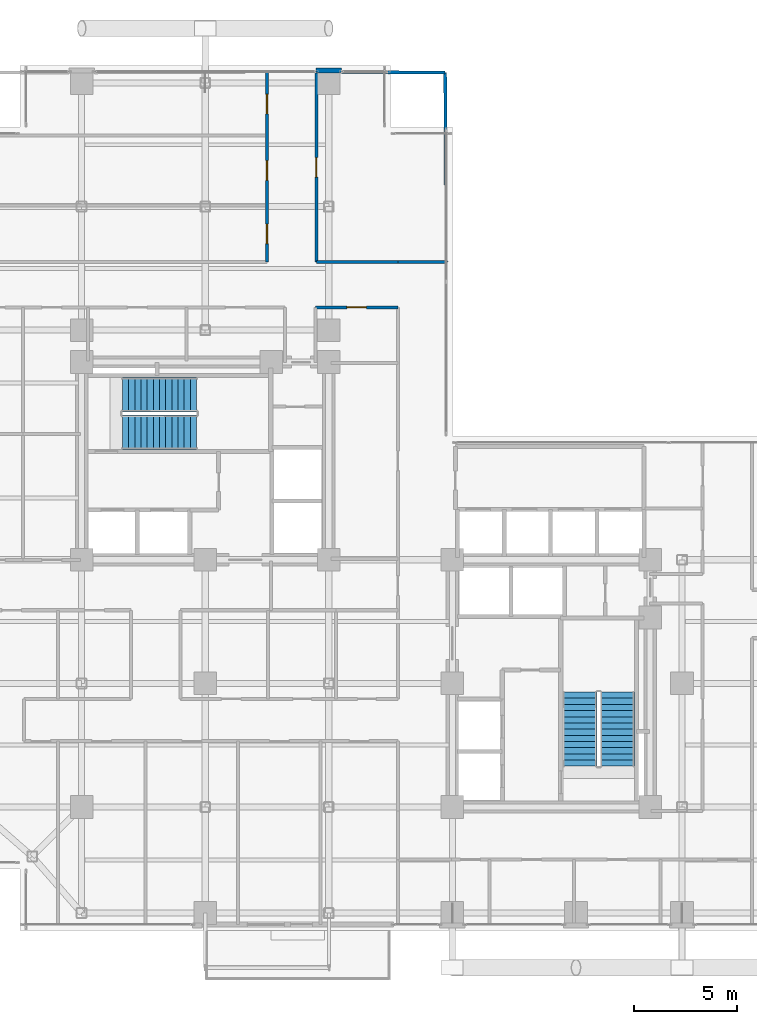
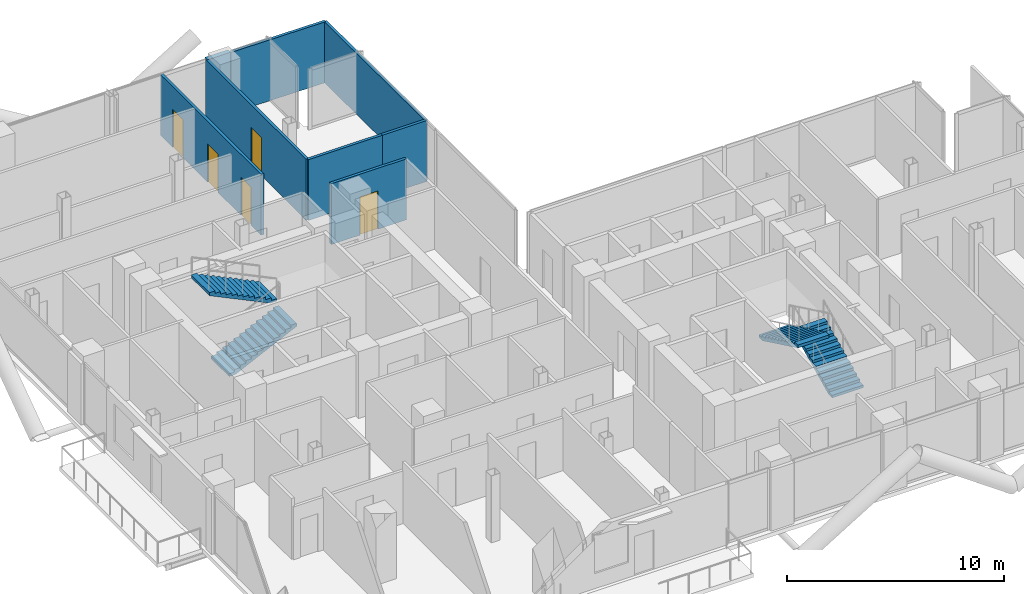
# One storey, part 22 of 24: 8 walls, 5 doors, 4 stair flights, 5 openings, 2 elements without a shape of their own.
"""IFC4 building model written with IfcOpenShell, lengths in metres."""

from ifc_helpers import new_model, si_unit, direction, frame, frame_2d, origin, place, context, subcontext, project, spatial, polyline, rectangle, outline, extrude, material, layer, layer_set, type_object, element, fill, aggregate, save


model = new_model("IFC4")

# Units and contexts
model_context = context("Model", 3, precision=1e-05, world=origin(), true_north=direction((0.0, 1.0)))
body_context = subcontext(model_context, "Body", "Model", "MODEL_VIEW")
ifc_project = project(units=[si_unit("LENGTHUNIT", "METRE"), si_unit("AREAUNIT", "SQUARE_METRE"), si_unit("VOLUMEUNIT", "CUBIC_METRE"), si_unit("PLANEANGLEUNIT", "RADIAN"), si_unit("MASSUNIT", "GRAM", prefix="KILO"), si_unit("THERMODYNAMICTEMPERATUREUNIT", "KELVIN"), si_unit("POWERUNIT", "WATT")], contexts=[model_context])

# Site, building, storey
site_placement = place(None, origin())
site = spatial("IfcSite", under=ifc_project, at=site_placement, CompositionType="ELEMENT")
building_placement = place(site_placement, origin())
building = spatial("IfcBuilding", under=site, at=building_placement, Name="Svarakhadi Broadcast Tower", CompositionType="ELEMENT")
storey_placement = place(building_placement, frame((0.0, 0.0, 160.64990234375)))
storey = spatial("IfcBuildingStorey", under=building, at=storey_placement, Name="L39", CompositionType="ELEMENT", Elevation=160.64990234375)

# Wall
ifc_material_1 = material(Name="Concrete C40/50 (IS 456 M50)", Category="concrete")
ifc_layer_1 = layer(ifc_material_1, 0.239990234375)
ifc_layer_set_1 = layer_set([ifc_layer_1], Name="Concrete C40/50 (IS 456 M50)")
wall_type_1 = type_object("IfcWallType", Name="Wall_Ext_240", PredefinedType="SOLIDWALL", material=ifc_layer_set_1)
wall_1_placement = place(storey_placement, frame((17.385009765625, 41.760009765625, 0.0), z_axis=(0.0, 0.0, 1.0), x_axis=(1.0, 0.0, 0.0)))
element("IfcWall", 1, at=wall_1_placement, inside=storey, type_object=wall_type_1, Name="L39 Perimeter Bronze Spandrel Closure Wall 05", PredefinedType="SOLIDWALL", context=body_context, shape_type="SweptSolid", body=[
    extrude(rectangle(XDim=1.22998046875, YDim=0.239990234375, at=frame_2d((0.614990234375, 0.0))), origin(), (0.0, 0.0, 1.0), 3.425048828125),
])

# Wall, opening, door
ifc_material_2 = material(Name="Autoclaved Aerated Concrete Blockwork 150 mm", Category="masonry")
ifc_layer_2 = layer(ifc_material_2, 0.14990234375)
ifc_layer_set_2 = layer_set([ifc_layer_2], Name="Autoclaved Aerated Concrete Blockwork 150 mm")
wall_type_2 = type_object("IfcWallType", Name="Wall_Part_150", PredefinedType="PARTITIONING", material=ifc_layer_set_2)
wall_2_placement = place(storey_placement, frame((21.35009765625, 30.25, 0.0), z_axis=(0.0, 0.0, 1.0), x_axis=(-1.0, 0.0, 0.0)))
wall_2 = element("IfcWall", 2, at=wall_2_placement, inside=storey, type_object=wall_type_2, Name="L39 Zone 2/3 Corridor Wall", PredefinedType="PARTITIONING", context=body_context, shape_type="SweptSolid", body=[
    extrude(rectangle(XDim=4.0, YDim=0.14990234375, at=frame_2d((2.0, 0.0))), origin(), (0.0, 0.0, 1.0), 3.425048828125),
])
opening_1_placement = place(wall_2_placement, frame((1.52490234375, 0.0, 0.0)))
opening_1 = element("IfcOpeningElement", 3, at=opening_1_placement, cuts=wall_2, Name="Opening D-06", PredefinedType="OPENING", context=body_context, shape_type="SweptSolid", body=[
    extrude(rectangle(XDim=0.949951171875, YDim=2.14990234375, at=frame_2d((0.47509765625, 1.074951171875))), frame((0.0, 0.0849609375, 0.0), z_axis=(0.0, -1.0, 0.0), x_axis=(1.0, 0.0, 0.0)), (0.0, 0.0, 1.0), 0.169921875),
])
ifc_material_3 = material(Name="Solid-Core Teak Veneer Acoustic Timber Leaf", Category="wood")
door_type_1 = type_object("IfcDoorType", Name="Door_Office_D06", OperationType="SINGLE_SWING_LEFT", PredefinedType="DOOR", material=ifc_material_3)
door_1_placement = place(opening_1_placement, origin())
door_1 = element("IfcDoor", 4, at=door_1_placement, inside=storey, type_object=door_type_1, Name="L39 Media Continuity Study Door", OperationType="SINGLE_SWING_LEFT", OverallHeight=2.14990234375, OverallWidth=0.949951171875, PredefinedType="DOOR", context=body_context, shape_type="SweptSolid", body=[
    extrude(rectangle(XDim=0.949951171875, YDim=2.14990234375, at=frame_2d((0.47509765625, 1.074951171875))), frame((0.0, 0.02490234375, 0.0), z_axis=(0.0, -1.0, 0.0), x_axis=(1.0, 0.0, 0.0)), (0.0, 0.0, 1.0), 0.050048828125),
])
fill(opening_1, door_1)

# Wall, openings, doors
wall_3_placement = place(storey_placement, frame((15.0, 32.449951171875, 0.0), z_axis=(0.0, 0.0, 1.0), x_axis=(0.0, 1.0, 0.0)))
wall_3 = element("IfcWall", 5, at=wall_3_placement, inside=storey, type_object=wall_type_2, Name="L39 Zone 2/3 Corridor Wall", PredefinedType="PARTITIONING", context=body_context, shape_type="SweptSolid", body=[
    extrude(rectangle(XDim=9.25, YDim=0.14990234375, at=frame_2d((4.625, 0.0))), origin(), (0.0, 0.0, 1.0), 3.425048828125),
])
opening_2_placement = place(wall_3_placement, frame((0.89990234375, 0.0, 0.0)))
opening_2 = element("IfcOpeningElement", 6, at=opening_2_placement, cuts=wall_3, Name="Opening D-06", PredefinedType="OPENING", context=body_context, shape_type="SweptSolid", body=[
    extrude(rectangle(XDim=0.949951171875, YDim=2.14990234375, at=frame_2d((0.47509765625, 1.074951171875))), frame((0.0, 0.0849609375, 0.0), z_axis=(0.0, -1.0, 0.0), x_axis=(1.0, 0.0, 0.0)), (0.0, 0.0, 1.0), 0.169921875),
])
opening_3_placement = place(wall_3_placement, frame((3.97509765625, 0.0, 0.0)))
opening_3 = element("IfcOpeningElement", 7, at=opening_3_placement, cuts=wall_3, Name="Opening D-07", PredefinedType="OPENING", context=body_context, shape_type="SweptSolid", body=[
    extrude(rectangle(XDim=0.949951171875, YDim=2.14990234375, at=frame_2d((0.47509765625, 1.074951171875))), frame((0.0, 0.0849609375, 0.0), z_axis=(0.0, -1.0, 0.0), x_axis=(1.0, 0.0, 0.0)), (0.0, 0.0, 1.0), 0.169921875),
])
opening_4_placement = place(wall_3_placement, frame((7.199951171875, 0.0, 0.0)))
opening_4 = element("IfcOpeningElement", 8, at=opening_4_placement, cuts=wall_3, Name="Opening D-06", PredefinedType="OPENING", context=body_context, shape_type="SweptSolid", body=[
    extrude(rectangle(XDim=0.949951171875, YDim=2.14990234375, at=frame_2d((0.47509765625, 1.074951171875))), frame((0.0, 0.0849609375, 0.0), z_axis=(0.0, -1.0, 0.0), x_axis=(1.0, 0.0, 0.0)), (0.0, 0.0, 1.0), 0.169921875),
])
door_2_placement = place(opening_2_placement, origin())
door_2 = element("IfcDoor", 9, at=door_2_placement, inside=storey, type_object=door_type_1, Name="L39 Fact-Checking Seminar Room Door", OperationType="SINGLE_SWING_LEFT", OverallHeight=2.14990234375, OverallWidth=0.949951171875, PredefinedType="DOOR", context=body_context, shape_type="SweptSolid", body=[
    extrude(rectangle(XDim=0.949951171875, YDim=2.14990234375, at=frame_2d((0.47509765625, 1.074951171875))), frame((0.0, 0.02490234375, 0.0), z_axis=(0.0, -1.0, 0.0), x_axis=(1.0, 0.0, 0.0)), (0.0, 0.0, 1.0), 0.050048828125),
])
fill(opening_2, door_2)
door_3_placement = place(opening_4_placement, origin())
door_3 = element("IfcDoor", 10, at=door_3_placement, inside=storey, type_object=door_type_1, Name="L39 News Verification Pod Door", OperationType="SINGLE_SWING_LEFT", OverallHeight=2.14990234375, OverallWidth=0.949951171875, PredefinedType="DOOR", context=body_context, shape_type="SweptSolid", body=[
    extrude(rectangle(XDim=0.949951171875, YDim=2.14990234375, at=frame_2d((0.47509765625, 1.074951171875))), frame((0.0, 0.02490234375, 0.0), z_axis=(0.0, -1.0, 0.0), x_axis=(1.0, 0.0, 0.0)), (0.0, 0.0, 1.0), 0.050048828125),
])
fill(opening_4, door_3)
door_type_2 = type_object("IfcDoorType", Name="Door_Office_D07", OperationType="SINGLE_SWING_RIGHT", PredefinedType="DOOR", material=ifc_material_3)
door_4_placement = place(opening_3_placement, origin())
door_4 = element("IfcDoor", 11, at=door_4_placement, inside=storey, type_object=door_type_2, Name="L39 Technical Production Office Door", OperationType="SINGLE_SWING_RIGHT", OverallHeight=2.14990234375, OverallWidth=0.949951171875, PredefinedType="DOOR", context=body_context, shape_type="SweptSolid", body=[
    extrude(rectangle(XDim=0.949951171875, YDim=2.14990234375, at=frame_2d((0.47509765625, 1.074951171875))), frame((0.0, 0.02490234375, 0.0), z_axis=(0.0, -1.0, 0.0), x_axis=(1.0, 0.0, 0.0)), (0.0, 0.0, 1.0), 0.050048828125),
])
fill(opening_3, door_4)

# Wall, opening, door
wall_4_placement = place(storey_placement, frame((17.39990234375, 41.699951171875, 0.0), z_axis=(0.0, 0.0, 1.0), x_axis=(0.0, -1.0, 0.0)))
wall_4 = element("IfcWall", 12, at=wall_4_placement, inside=storey, type_object=wall_type_2, Name="L39 Zone 2/3 Corridor Wall", PredefinedType="PARTITIONING", context=body_context, shape_type="SweptSolid", body=[
    extrude(rectangle(XDim=9.25, YDim=0.14990234375, at=frame_2d((4.625, 0.0))), origin(), (0.0, 0.0, 1.0), 3.425048828125),
])
opening_5_placement = place(wall_4_placement, frame((4.175048828125, 0.0, 0.0)))
opening_5 = element("IfcOpeningElement", 13, at=opening_5_placement, cuts=wall_4, Name="Opening D-07", PredefinedType="OPENING", context=body_context, shape_type="SweptSolid", body=[
    extrude(rectangle(XDim=0.949951171875, YDim=2.14990234375, at=frame_2d((0.47509765625, 1.074951171875))), frame((0.0, 0.0849609375, 0.0), z_axis=(0.0, -1.0, 0.0), x_axis=(1.0, 0.0, 0.0)), (0.0, 0.0, 1.0), 0.169921875),
])
door_5_placement = place(opening_5_placement, origin())
door_5 = element("IfcDoor", 14, at=door_5_placement, inside=storey, type_object=door_type_2, Name="L39 Executive Producer Office Door", OperationType="SINGLE_SWING_RIGHT", OverallHeight=2.14990234375, OverallWidth=0.949951171875, PredefinedType="DOOR", context=body_context, shape_type="SweptSolid", body=[
    extrude(rectangle(XDim=0.949951171875, YDim=2.14990234375, at=frame_2d((0.47509765625, 1.074951171875))), frame((0.0, 0.02490234375, 0.0), z_axis=(0.0, -1.0, 0.0), x_axis=(1.0, 0.0, 0.0)), (0.0, 0.0, 1.0), 0.050048828125),
])
fill(opening_5, door_5)

# Walls
wall_5_placement = place(storey_placement, frame((17.39990234375, 32.449951171875, 0.0), z_axis=(0.0, 0.0, 1.0), x_axis=(1.0, 0.0, 0.0)))
element("IfcWall", 15, at=wall_5_placement, inside=storey, type_object=wall_type_2, Name="L39 Zone 2/3 Corridor Wall", PredefinedType="PARTITIONING", context=body_context, shape_type="SweptSolid", body=[
    extrude(rectangle(XDim=3.9501953125, YDim=0.14990234375, at=frame_2d((1.97509765625, 0.0))), origin(), (0.0, 0.0, 1.0), 3.425048828125),
])
wall_6_placement = place(storey_placement, frame((21.35009765625, 32.449951171875, 0.0), z_axis=(0.0, 0.0, 1.0), x_axis=(1.0, 0.0, 0.0)))
element("IfcWall", 16, at=wall_6_placement, inside=storey, type_object=wall_type_2, Name="L39 Zone 2/3 Corridor Wall", PredefinedType="PARTITIONING", context=body_context, shape_type="SweptSolid", body=[
    extrude(rectangle(XDim=2.349853515625, YDim=0.14990234375, at=frame_2d((1.1748046875, 0.0))), origin(), (0.0, 0.0, 1.0), 3.425048828125),
])
wall_7_placement = place(storey_placement, frame((18.614990234375, 41.690185546875, 0.0), z_axis=(0.0, 0.0, 1.0), x_axis=(0.99996799533, -0.008000519771, 0.0)))
element("IfcWall", 17, at=wall_7_placement, inside=storey, type_object=wall_type_2, Name="L39 Executive Producer Office Wall", PredefinedType="PARTITIONING", context=body_context, shape_type="SweptSolid", body=[
    extrude(rectangle(XDim=5.03515625, YDim=0.14990234375, at=frame_2d((2.517578125, 0.0))), origin(), (0.0, 0.0, 1.0), 3.425048828125),
])
wall_8_placement = place(storey_placement, frame((23.699951171875, 32.449951171875, 0.0), z_axis=(0.0, 0.0, 1.0), x_axis=(-0.005440038388, 0.999985202882, 0.0)))
element("IfcWall", 18, at=wall_8_placement, inside=storey, type_object=wall_type_2, Name="L39 Executive Producer Office Wall", PredefinedType="PARTITIONING", context=body_context, shape_type="SweptSolid", body=[
    extrude(rectangle(XDim=9.2001953125, YDim=0.14990234375, at=frame_2d((4.60009765625, 0.0))), origin(), (0.0, 0.0, 1.0), 3.425048828125),
])

# Stair, stair flights
stair_type = type_object("IfcStairType", Name="Stair_Exit_Core", PredefinedType="HALF_TURN_STAIR", material=ifc_material_1)
stair_1_placement = place(storey_placement, origin())
stair_1 = element("IfcStair", 19, at=stair_1_placement, inside=storey, type_object=stair_type, Name="L39 West Core Protected Exit Stair ST-01", PredefinedType="HALF_TURN_STAIR")
stair_flight_type = type_object("IfcStairFlightType", Name="Flight_RC_1680", PredefinedType="STRAIGHT", material=ifc_material_1)
stair_flight_1_placement = place(storey_placement, frame((7.97998046875, 24.18994140625, 0.0), z_axis=(0.0, 0.0, 1.0), x_axis=(1.0, 0.0, 0.0)))
stair_flight_1 = element("IfcStairFlight", 20, at=stair_flight_1_placement, type_object=stair_flight_type, Name="ST-01 flight 1", NumberOfRisers=13, NumberOfTreads=12, PredefinedType="STRAIGHT", RiserHeight=0.144230769, TreadLength=0.3, context=body_context, shape_type="SweptSolid", body=[
    extrude(outline(polyline([(0.0, 0.0), (0.0, 0.144287109375), (0.300048828125, 0.144287109375), (0.300048828125, 0.28857421875), (0.60009765625, 0.28857421875), (0.60009765625, 0.4326171875), (0.89990234375, 0.4326171875), (0.89990234375, 0.576904296875), (1.199951171875, 0.576904296875), (1.199951171875, 0.72119140625), (1.5, 0.72119140625), (1.5, 0.865478515625), (1.800048828125, 0.865478515625), (1.800048828125, 1.009521484375), (2.10009765625, 1.009521484375), (2.10009765625, 1.15380859375), (2.39990234375, 1.15380859375), (2.39990234375, 1.298095703125), (2.699951171875, 1.298095703125), (2.699951171875, 1.4423828125), (3.0, 1.4423828125), (3.0, 1.58642578125), (3.300048828125, 1.58642578125), (3.300048828125, 1.730712890625), (3.60009765625, 1.730712890625), (3.60009765625, 1.875), (3.60009765625, 1.564453125), (0.345947265625, 0.0), (0.0, 0.0)])), frame((0.0, 0.830078125, 0.0), z_axis=(0.0, -1.0, 0.0), x_axis=(1.0, 0.0, 0.0)), (0.0, 0.0, 1.0), 1.659912109375),
])
stair_flight_2_placement = place(storey_placement, frame((11.580078125, 26.010009765625, 1.875), z_axis=(0.0, 0.0, 1.0), x_axis=(-1.0, 0.0, 0.0)))
stair_flight_2 = element("IfcStairFlight", 21, at=stair_flight_2_placement, type_object=stair_flight_type, Name="ST-01 flight 2", NumberOfRisers=13, NumberOfTreads=12, PredefinedType="STRAIGHT", RiserHeight=0.144230769, TreadLength=0.3, context=body_context, shape_type="SweptSolid", body=[
    extrude(outline(polyline([(0.0, 0.0), (0.0, 0.144287109375), (0.300048828125, 0.144287109375), (0.300048828125, 0.28857421875), (0.60009765625, 0.28857421875), (0.60009765625, 0.4326171875), (0.89990234375, 0.4326171875), (0.89990234375, 0.576904296875), (1.199951171875, 0.576904296875), (1.199951171875, 0.72119140625), (1.5, 0.72119140625), (1.5, 0.865478515625), (1.800048828125, 0.865478515625), (1.800048828125, 1.009521484375), (2.10009765625, 1.009521484375), (2.10009765625, 1.15380859375), (2.39990234375, 1.15380859375), (2.39990234375, 1.298095703125), (2.699951171875, 1.298095703125), (2.699951171875, 1.4423828125), (3.0, 1.4423828125), (3.0, 1.58642578125), (3.300048828125, 1.58642578125), (3.300048828125, 1.730712890625), (3.60009765625, 1.730712890625), (3.60009765625, 1.875), (3.60009765625, 1.564453125), (0.345947265625, 0.0), (0.0, 0.0)])), frame((0.0, 0.830078125, 0.0), z_axis=(0.0, -1.0, 0.0), x_axis=(1.0, 0.0, 0.0)), (0.0, 0.0, 1.0), 1.659912109375),
])
aggregate(stair_1, [stair_flight_1, stair_flight_2])

stair_2_placement = place(storey_placement, origin())
stair_2 = element("IfcStair", 22, at=stair_2_placement, inside=storey, type_object=stair_type, Name="L39 East Core Protected Exit Stair ST-02", PredefinedType="HALF_TURN_STAIR")
stair_flight_3_placement = place(storey_placement, frame((32.010009765625, 7.97998046875, 0.0), z_axis=(0.0, 0.0, 1.0), x_axis=(0.0, 1.0, 0.0)))
stair_flight_3 = element("IfcStairFlight", 23, at=stair_flight_3_placement, type_object=stair_flight_type, Name="ST-02 flight 1", NumberOfRisers=13, NumberOfTreads=12, PredefinedType="STRAIGHT", RiserHeight=0.144230769, TreadLength=0.3, context=body_context, shape_type="SweptSolid", body=[
    extrude(outline(polyline([(0.0, 0.0), (0.0, 0.144287109375), (0.300048828125, 0.144287109375), (0.300048828125, 0.28857421875), (0.60009765625, 0.28857421875), (0.60009765625, 0.4326171875), (0.89990234375, 0.4326171875), (0.89990234375, 0.576904296875), (1.199951171875, 0.576904296875), (1.199951171875, 0.72119140625), (1.5, 0.72119140625), (1.5, 0.865478515625), (1.800048828125, 0.865478515625), (1.800048828125, 1.009521484375), (2.10009765625, 1.009521484375), (2.10009765625, 1.15380859375), (2.39990234375, 1.15380859375), (2.39990234375, 1.298095703125), (2.699951171875, 1.298095703125), (2.699951171875, 1.4423828125), (3.0, 1.4423828125), (3.0, 1.58642578125), (3.300048828125, 1.58642578125), (3.300048828125, 1.730712890625), (3.60009765625, 1.730712890625), (3.60009765625, 1.875), (3.60009765625, 1.564453125), (0.345947265625, 0.0), (0.0, 0.0)])), frame((0.0, 0.830078125, 0.0), z_axis=(0.0, -1.0, 0.0), x_axis=(1.0, 0.0, 0.0)), (0.0, 0.0, 1.0), 1.659912109375),
])
stair_flight_4_placement = place(storey_placement, frame((30.18994140625, 11.580078125, 1.875), z_axis=(0.0, 0.0, 1.0), x_axis=(0.0, -1.0, 0.0)))
stair_flight_4 = element("IfcStairFlight", 24, at=stair_flight_4_placement, type_object=stair_flight_type, Name="ST-02 flight 2", NumberOfRisers=13, NumberOfTreads=12, PredefinedType="STRAIGHT", RiserHeight=0.144230769, TreadLength=0.3, context=body_context, shape_type="SweptSolid", body=[
    extrude(outline(polyline([(0.0, 0.0), (0.0, 0.144287109375), (0.300048828125, 0.144287109375), (0.300048828125, 0.28857421875), (0.60009765625, 0.28857421875), (0.60009765625, 0.4326171875), (0.89990234375, 0.4326171875), (0.89990234375, 0.576904296875), (1.199951171875, 0.576904296875), (1.199951171875, 0.72119140625), (1.5, 0.72119140625), (1.5, 0.865478515625), (1.800048828125, 0.865478515625), (1.800048828125, 1.009521484375), (2.10009765625, 1.009521484375), (2.10009765625, 1.15380859375), (2.39990234375, 1.15380859375), (2.39990234375, 1.298095703125), (2.699951171875, 1.298095703125), (2.699951171875, 1.4423828125), (3.0, 1.4423828125), (3.0, 1.58642578125), (3.300048828125, 1.58642578125), (3.300048828125, 1.730712890625), (3.60009765625, 1.730712890625), (3.60009765625, 1.875), (3.60009765625, 1.564453125), (0.345947265625, 0.0), (0.0, 0.0)])), frame((0.0, 0.830078125, 0.0), z_axis=(0.0, -1.0, 0.0), x_axis=(1.0, 0.0, 0.0)), (0.0, 0.0, 1.0), 1.659912109375),
])
aggregate(stair_2, [stair_flight_3, stair_flight_4])

save(model, "model.ifc")
